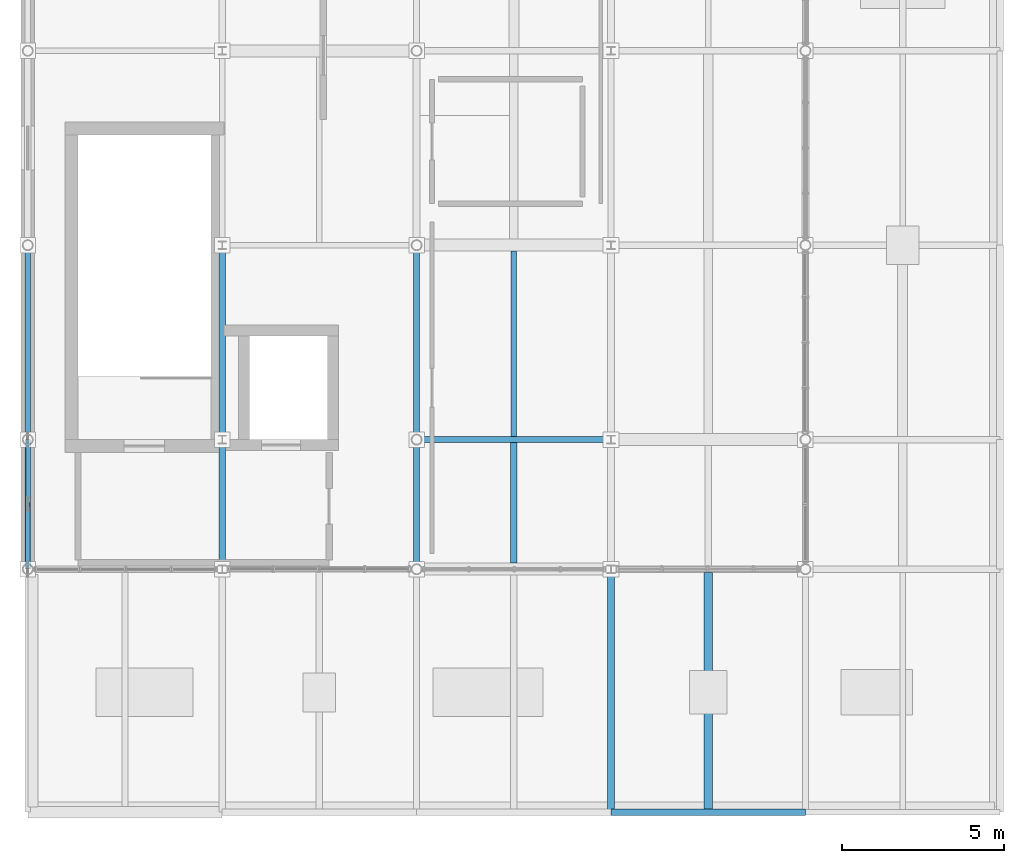
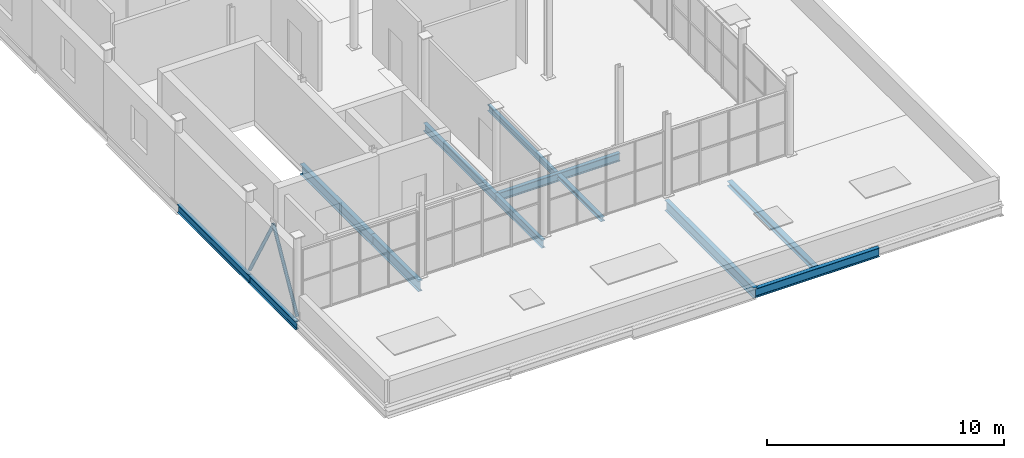
# One storey, part 6 of 27: 12 beams, 2 members.
"""IFC4 building model written with IfcOpenShell, lengths in metres."""

from ifc_helpers import new_model, si_unit, direction, frame, origin, origin_2d, place, context, subcontext, project, spatial, hollow_circle, i_section, extrude, material, material_profile, profile_set, type_object, element, save


model = new_model("IFC4")

# Units and contexts
model_context = context("Model", 3, precision=1e-05, world=origin(), true_north=direction((0.0, 1.0)))
body_context = subcontext(model_context, "Body", "Model", "MODEL_VIEW")
ifc_project = project(units=[si_unit("LENGTHUNIT", "METRE"), si_unit("AREAUNIT", "SQUARE_METRE"), si_unit("VOLUMEUNIT", "CUBIC_METRE"), si_unit("PLANEANGLEUNIT", "RADIAN"), si_unit("MASSUNIT", "GRAM", prefix="KILO")], contexts=[model_context])

# Site, building, storey
site_placement = place(None, origin())
site = spatial("IfcSite", under=ifc_project, at=site_placement, CompositionType="ELEMENT")
building_placement = place(site_placement, origin())
building = spatial("IfcBuilding", under=site, at=building_placement, Name="Verrall Gate Interchange", CompositionType="ELEMENT")
storey_placement = place(building_placement, frame((0.0, 0.0, 28.60009765625)))
storey = spatial("IfcBuildingStorey", under=building, at=storey_placement, Name="L07", CompositionType="ELEMENT", Elevation=28.60009765625)

# Beams
ifc_material_1 = material(Name="Structural Steel CSA G40.21 350W", Category="steel")
ifc_material_profile_1 = material_profile(ifc_material_1, i_section(OverallWidth=0.2109375, OverallDepth=0.5390625, WebThickness=0.01171875, FlangeThickness=0.018798828125, FilletRadius=0.013916015625, at=origin_2d()), Name="W530x109")
ifc_profile_set_1 = profile_set([ifc_material_profile_1], Name="Structural Steel CSA G40.21 350W")
beam_type_1 = type_object("IfcBeamType", Name="B-10 Structural Beam W530x109", PredefinedType="BEAM", material=ifc_profile_set_1)
beam_1_placement = place(storey_placement, frame((12.0, 12.0, -0.529541015625), z_axis=(0.0, 1.0, 0.0), x_axis=(-1.0, 0.0, 0.0)))
element("IfcBeam", 1, at=beam_1_placement, inside=storey, type_object=beam_type_1, Name="L07 Girder BM-L07-3274 (B-10)", PredefinedType="BEAM", context=body_context, shape_type="SweptSolid", body=[
    extrude(i_section(OverallWidth=0.2109375, OverallDepth=0.5390625, WebThickness=0.01171875, FlangeThickness=0.018798828125, FilletRadius=0.013916015625, at=origin_2d()), origin(), (0.0, 0.0, 1.0), 4.0),
])
beam_2_placement = place(storey_placement, frame((12.0, 16.0, -0.529541015625), z_axis=(0.0, 1.0, 0.0), x_axis=(-1.0, 0.0, 0.0)))
element("IfcBeam", 2, at=beam_2_placement, inside=storey, type_object=beam_type_1, Name="L07 Girder BM-L07-3275 (B-10)", PredefinedType="BEAM", context=body_context, shape_type="SweptSolid", body=[
    extrude(i_section(OverallWidth=0.2109375, OverallDepth=0.5390625, WebThickness=0.01171875, FlangeThickness=0.018798828125, FilletRadius=0.013916015625, at=origin_2d()), origin(), (0.0, 0.0, 1.0), 6.0),
])
beam_3_placement = place(storey_placement, frame((24.0, 4.5, -0.529541015625), z_axis=(0.0, 1.0, 0.0), x_axis=(-1.0, 0.0, 0.0)))
element("IfcBeam", 3, at=beam_3_placement, inside=storey, type_object=beam_type_1, Name="L07 Girder BM-L07-3291 (B-10)", PredefinedType="BEAM", context=body_context, shape_type="SweptSolid", body=[
    extrude(i_section(OverallWidth=0.2109375, OverallDepth=0.5390625, WebThickness=0.01171875, FlangeThickness=0.018798828125, FilletRadius=0.013916015625, at=origin_2d()), origin(), (0.0, 0.0, 1.0), 7.5),
])
ifc_material_2 = material(Name="Structural Steel CSA G40.21 350W", Category="steel")
ifc_material_profile_2 = material_profile(ifc_material_2, i_section(OverallWidth=0.19189453125, OverallDepth=0.462890625, WebThickness=0.010498046875, FlangeThickness=0.017578125, FilletRadius=0.012939453125, at=origin_2d()), Name="W460x89")
ifc_profile_set_2 = profile_set([ifc_material_profile_2], Name="Structural Steel CSA G40.21 350W")
beam_type_2 = type_object("IfcBeamType", Name="B-11 Structural Beam W460x89", PredefinedType="BEAM", material=ifc_profile_set_2)
beam_4_placement = place(storey_placement, frame((24.0, 4.5, -0.49169921875), z_axis=(1.0, 0.0, 0.0), x_axis=(0.0, 1.0, 0.0)))
element("IfcBeam", 4, at=beam_4_placement, inside=storey, type_object=beam_type_2, Name="L07 Girder BM-L07-3225 (B-11)", PredefinedType="BEAM", context=body_context, shape_type="SweptSolid", body=[
    extrude(i_section(OverallWidth=0.19189453125, OverallDepth=0.462890625, WebThickness=0.010498046875, FlangeThickness=0.017578125, FilletRadius=0.012939453125, at=origin_2d()), origin(), (0.0, 0.0, 1.0), 6.0),
])
ifc_material_3 = material(Name="Structural Steel CSA G40.21 350W", Category="steel")
ifc_material_profile_3 = material_profile(ifc_material_3, i_section(OverallWidth=0.178955078125, OverallDepth=0.409912109375, WebThickness=0.0087890625, FlangeThickness=0.014404296875, FilletRadius=0.011962890625, at=origin_2d()), Name="W410x67")
ifc_profile_set_3 = profile_set([ifc_material_profile_3], Name="Structural Steel CSA G40.21 350W")
beam_type_3 = type_object("IfcBeamType", Name="B-12 Structural Beam W410x67", PredefinedType="BEAM", material=ifc_profile_set_3)
beam_5_placement = place(storey_placement, frame((18.0, 16.0, -0.465087890625), z_axis=(1.0, 0.0, 0.0), x_axis=(0.0, 1.0, 0.0)))
element("IfcBeam", 5, at=beam_5_placement, inside=storey, type_object=beam_type_3, Name="L07 Girder BM-L07-3232 (B-12)", PredefinedType="BEAM", context=body_context, shape_type="SweptSolid", body=[
    extrude(i_section(OverallWidth=0.178955078125, OverallDepth=0.409912109375, WebThickness=0.0087890625, FlangeThickness=0.014404296875, FilletRadius=0.011962890625, at=origin_2d()), origin(), (0.0, 0.0, 1.0), 6.0),
])
beam_6_placement = place(storey_placement, frame((6.0, 12.0, -0.465087890625), z_axis=(0.0, 1.0, 0.0), x_axis=(-1.0, 0.0, 0.0)))
element("IfcBeam", 6, at=beam_6_placement, inside=storey, type_object=beam_type_3, Name="L07 Girder BM-L07-3265 (B-12)", PredefinedType="BEAM", context=body_context, shape_type="SweptSolid", body=[
    extrude(i_section(OverallWidth=0.178955078125, OverallDepth=0.409912109375, WebThickness=0.0087890625, FlangeThickness=0.014404296875, FilletRadius=0.011962890625, at=origin_2d()), origin(), (0.0, 0.0, 1.0), 4.0),
])
beam_7_placement = place(storey_placement, frame((6.0, 16.0, -0.465087890625), z_axis=(0.0, 1.0, 0.0), x_axis=(-1.0, 0.0, 0.0)))
element("IfcBeam", 7, at=beam_7_placement, inside=storey, type_object=beam_type_3, Name="L07 Girder BM-L07-3266 (B-12)", PredefinedType="BEAM", context=body_context, shape_type="SweptSolid", body=[
    extrude(i_section(OverallWidth=0.178955078125, OverallDepth=0.409912109375, WebThickness=0.0087890625, FlangeThickness=0.014404296875, FilletRadius=0.011962890625, at=origin_2d()), origin(), (0.0, 0.0, 1.0), 6.0),
])
beam_8_placement = place(storey_placement, frame((18.0, 12.0, -0.465087890625), z_axis=(0.0, 1.0, 0.0), x_axis=(-1.0, 0.0, 0.0)))
element("IfcBeam", 8, at=beam_8_placement, inside=storey, type_object=beam_type_3, Name="L07 Girder BM-L07-3283 (B-12)", PredefinedType="BEAM", context=body_context, shape_type="SweptSolid", body=[
    extrude(i_section(OverallWidth=0.178955078125, OverallDepth=0.409912109375, WebThickness=0.0087890625, FlangeThickness=0.014404296875, FilletRadius=0.011962890625, at=origin_2d()), origin(), (0.0, 0.0, 1.0), 4.0),
])
beam_9_placement = place(storey_placement, frame((18.0, 16.0, -0.465087890625), z_axis=(0.0, 1.0, 0.0), x_axis=(-1.0, 0.0, 0.0)))
element("IfcBeam", 9, at=beam_9_placement, inside=storey, type_object=beam_type_3, Name="L07 Girder BM-L07-3284 (B-12)", PredefinedType="BEAM", context=body_context, shape_type="SweptSolid", body=[
    extrude(i_section(OverallWidth=0.178955078125, OverallDepth=0.409912109375, WebThickness=0.0087890625, FlangeThickness=0.014404296875, FilletRadius=0.011962890625, at=origin_2d()), origin(), (0.0, 0.0, 1.0), 6.0),
])

# Members
ifc_material_4 = material(Name="Structural Steel CSA G40.21 350W", Category="steel")
ifc_material_profile_4 = material_profile(ifc_material_4, hollow_circle(Radius=0.084228515625, WallThickness=0.00634765625, at=origin_2d()), Name="HSS168x6.4")
ifc_profile_set_4 = profile_set([ifc_material_profile_4], Name="Structural Steel CSA G40.21 350W")
member_type = type_object("IfcMemberType", Name="BR-03 Diagonal Brace HSS168x6.4", PredefinedType="BRACE", material=ifc_profile_set_4)
for number, where, z_axis, x_axis, name in (
    (10, (6.0, 12.0, 0.0), (0.0, 0.492973094302, 0.87004455535), (-1.0, 0.0, 0.0), "Chevron Brace CBF4 L07 Leg A"),
    (11, (6.0, 16.0, 0.0), (0.0, -0.492973094302, 0.87004455535), (1.0, 0.0, 0.0), "Chevron Brace CBF4 L07 Leg B"),
):
    element("IfcMember", number, at=place(storey_placement, frame(where, z_axis=z_axis, x_axis=x_axis)), inside=storey, type_object=member_type, Name=name, PredefinedType="BRACE", context=body_context, shape_type="SweptSolid", body=[
        extrude(hollow_circle(Radius=0.084228515625, WallThickness=0.00634765625, at=origin_2d()), origin(), (0.0, 0.0, 1.0), 4.05712890625),
    ])

# Beams
ifc_material_5 = material(Name="Structural Steel CSA G40.21 350W", Category="steel")
ifc_material_profile_5 = material_profile(ifc_material_5, i_section(OverallWidth=0.1650390625, OverallDepth=0.31005859375, WebThickness=0.005859375, FlangeThickness=0.009765625, FilletRadius=0.010009765625, at=origin_2d()), Name="W310x39")
ifc_profile_set_5 = profile_set([ifc_material_profile_5], Name="Structural Steel CSA G40.21 350W")
beam_type_4 = type_object("IfcBeamType", Name="J-04 Floor Joist W310x39", PredefinedType="JOIST", material=ifc_profile_set_5)
beam_10_placement = place(storey_placement, frame((21.0, 16.089599609375, -0.4150390625), z_axis=(0.0, 1.0, 0.0), x_axis=(-1.0, 0.0, 0.0)))
element("IfcBeam", 12, at=beam_10_placement, inside=storey, type_object=beam_type_4, Name="L07 Secondary Floor Joist JST-L07-3326", PredefinedType="JOIST", context=body_context, shape_type="SweptSolid", body=[
    extrude(i_section(OverallWidth=0.1650390625, OverallDepth=0.31005859375, WebThickness=0.005859375, FlangeThickness=0.009765625, FilletRadius=0.010009765625, at=origin_2d()), origin(), (0.0, 0.0, 1.0), 5.725830078125),
])
ifc_material_6 = material(Name="Structural Steel CSA G40.21 350W", Category="steel")
ifc_material_profile_6 = material_profile(ifc_material_6, i_section(OverallWidth=0.25390625, OverallDepth=0.2529296875, WebThickness=0.008544921875, FlangeThickness=0.01416015625, FilletRadius=0.011962890625, at=origin_2d()), Name="W250x73")
ifc_profile_set_6 = profile_set([ifc_material_profile_6], Name="Structural Steel CSA G40.21 350W")
beam_type_5 = type_object("IfcBeamType", Name="J-05 Floor Joist W250x73", PredefinedType="JOIST", material=ifc_profile_set_6)
beam_11_placement = place(storey_placement, frame((27.0, 4.595947265625, -0.38671875), z_axis=(0.0, 1.0, 0.0), x_axis=(-1.0, 0.0, 0.0)))
element("IfcBeam", 13, at=beam_11_placement, inside=storey, type_object=beam_type_5, Name="L07 Secondary Floor Joist JST-L07-3321", PredefinedType="JOIST", context=body_context, shape_type="SweptSolid", body=[
    extrude(i_section(OverallWidth=0.25390625, OverallDepth=0.2529296875, WebThickness=0.008544921875, FlangeThickness=0.01416015625, FilletRadius=0.011962890625, at=origin_2d()), origin(), (0.0, 0.0, 1.0), 7.301513671875),
])
ifc_material_7 = material(Name="Structural Steel CSA G40.21 350W", Category="steel")
ifc_material_profile_7 = material_profile(ifc_material_7, i_section(OverallWidth=0.202880859375, OverallDepth=0.202880859375, WebThickness=0.007080078125, FlangeThickness=0.010986328125, FilletRadius=0.010009765625, at=origin_2d()), Name="W200x46")
ifc_profile_set_7 = profile_set([ifc_material_profile_7], Name="Structural Steel CSA G40.21 350W")
beam_type_6 = type_object("IfcBeamType", Name="J-07 Floor Joist W200x46", PredefinedType="JOIST", material=ifc_profile_set_7)
beam_12_placement = place(storey_placement, frame((21.0, 12.1845703125, -0.361572265625), z_axis=(0.0, 1.0, 0.0), x_axis=(-1.0, 0.0, 0.0)))
element("IfcBeam", 14, at=beam_12_placement, inside=storey, type_object=beam_type_6, Name="L07 Secondary Floor Joist JST-L07-3323", PredefinedType="JOIST", context=body_context, shape_type="SweptSolid", body=[
    extrude(i_section(OverallWidth=0.202880859375, OverallDepth=0.202880859375, WebThickness=0.007080078125, FlangeThickness=0.010986328125, FilletRadius=0.010009765625, at=origin_2d()), origin(), (0.0, 0.0, 1.0), 3.725830078125),
])

save(model, "model.ifc")
